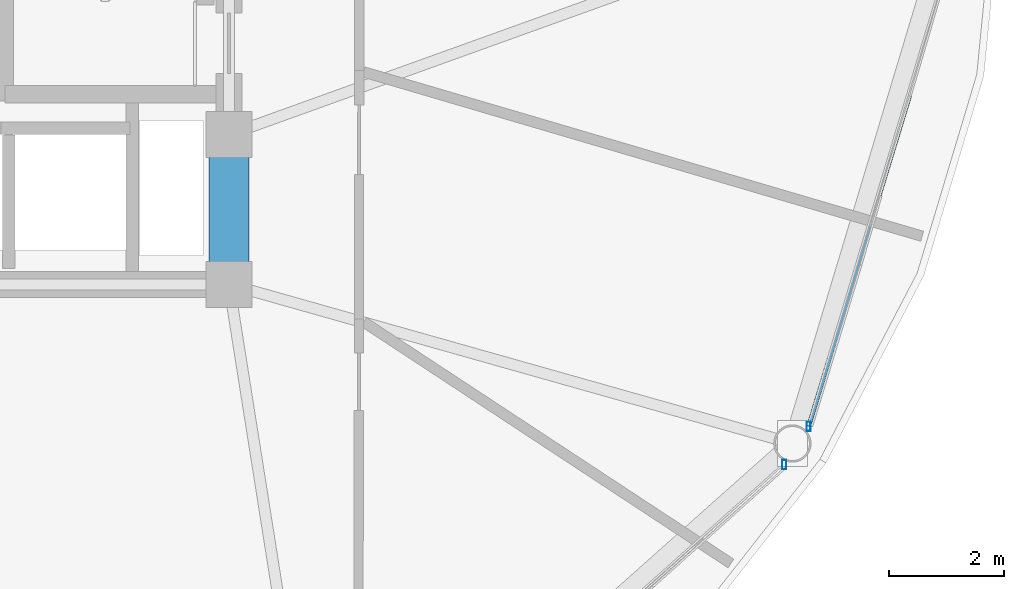
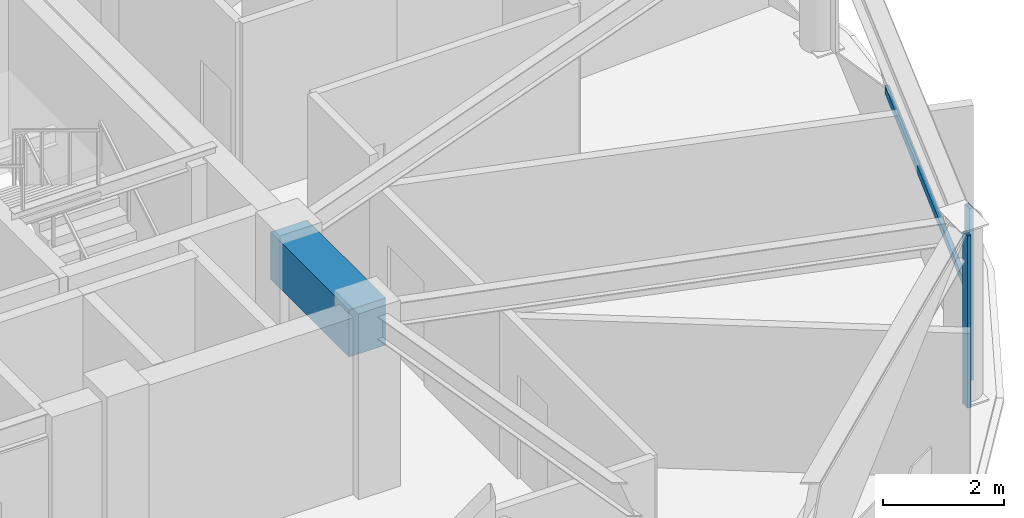
# One storey, part 12 of 30: 3 members, 1 beam, 2 elements without a shape of their own.
"""IFC4 building model written with IfcOpenShell, lengths in metres."""

import ifcopenshell
import ifcopenshell.guid

model = None  # the IFC model being written
_history = None  # IfcOwnerHistory: only IFC2X3 demands one
_inside = {}  # id of a spatial element -> (the spatial element, [elements in it])
_under = {}  # id of a project, library or spatial element -> (it, [spatial elements below it])
_declared = {}  # id of a project -> (the project, [libraries it declares])
_typed = {}  # id of a type object -> (the type object, [elements of that type])
_made_of = {}  # id of a material, layer set ... -> (it, [elements and type objects made of it])


def new_model(schema):
    """Start an empty IFC model of exactly this schema.

    Asked for "IFC4X3", IfcOpenShell would pick the latest addendum, in which some entities
    have other attributes; the version numbers below select the first issue.
    IFC2X3 requires an IfcOwnerHistory on every rooted entity: one is made here for all.
    """
    global model, _history
    if schema == "IFC4X3":
        model = ifcopenshell.file(schema_version=(4, 3, 0, 0))
    else:
        model = ifcopenshell.file(schema=schema)
    _inside.clear()
    _under.clear()
    _declared.clear()
    _typed.clear()
    _made_of.clear()
    _history = None
    if model.schema == "IFC2X3":
        org = make("IfcOrganization", Name="unknown")
        user = make(
            "IfcPersonAndOrganization",
            ThePerson=make("IfcPerson", FamilyName="unknown"),
            TheOrganization=org,
        )
        app = make(
            "IfcApplication",
            ApplicationDeveloper=org,
            Version="unknown",
            ApplicationFullName="unknown",
            ApplicationIdentifier="unknown",
        )
        _history = make(
            "IfcOwnerHistory",
            OwningUser=user,
            OwningApplication=app,
            ChangeAction="ADDED",
            CreationDate=0,
        )
    return model


def make(cls, **values):
    """One entity of the class cls with the attributes given. An attribute that is None is left unset."""
    return model.create_entity(
        cls, **{name: value for name, value in values.items() if value is not None}
    )


def rooted(cls, **values):
    """An entity with a GlobalId (a new one), such as an element, a storey or a relation."""
    return make(cls, GlobalId=ifcopenshell.guid.new(), OwnerHistory=_history, **values)


def si_unit(unit_type, name, prefix=None):
    """IfcSIUnit, for example si_unit("LENGTHUNIT", "METRE", prefix="MILLI")."""
    return make("IfcSIUnit", UnitType=unit_type, Prefix=prefix, Name=name)


def assignment(units):
    """IfcUnitAssignment: the units of a project."""
    return None if units is None else make("IfcUnitAssignment", Units=units)


def point(xyz):
    """IfcCartesianPoint."""
    return None if xyz is None else make("IfcCartesianPoint", Coordinates=xyz)


def direction(xyz):
    """IfcDirection."""
    return None if xyz is None else make("IfcDirection", DirectionRatios=xyz)


def frame(location, z_axis=None, x_axis=None):
    """IfcAxis2Placement3D, a coordinate frame: its origin and axes. An axis left out is left unset."""
    return make(
        "IfcAxis2Placement3D",
        Location=point(location),
        Axis=direction(z_axis),
        RefDirection=direction(x_axis),
    )


def frame_2d(location, x_axis=None):
    """IfcAxis2Placement2D, a coordinate frame in the plane: its origin and x axis."""
    return make(
        "IfcAxis2Placement2D", Location=point(location), RefDirection=direction(x_axis)
    )


def origin():
    """The frame at (0, 0, 0) with its axes left unset."""
    return frame((0.0, 0.0, 0.0))


def origin_2d():
    """The frame at (0, 0) in the plane with its x axis left unset."""
    return frame_2d((0.0, 0.0))


def place(relative_to, where):
    """IfcLocalPlacement: puts the frame where relative to a parent placement (None: the world)."""
    return make(
        "IfcLocalPlacement", PlacementRelTo=relative_to, RelativePlacement=where
    )


def context(
    kind, dimensions, precision=None, world=None, true_north=None, identifier=None
):
    """IfcGeometricRepresentationContext, for example the 3D "Model" context."""
    return make(
        "IfcGeometricRepresentationContext",
        ContextIdentifier=identifier,
        ContextType=kind,
        CoordinateSpaceDimension=dimensions,
        Precision=precision,
        WorldCoordinateSystem=world,
        TrueNorth=true_north,
    )


def subcontext(parent, identifier, kind, view, scale=None):
    """IfcGeometricRepresentationSubContext, for example "Body" below "Model"."""
    return make(
        "IfcGeometricRepresentationSubContext",
        ContextIdentifier=identifier,
        ContextType=kind,
        ParentContext=parent,
        TargetScale=scale,
        TargetView=view,
    )


def project(units=None, contexts=None):
    """IfcProject with its units and contexts."""
    return rooted(
        "IfcProject",
        Name="project",
        RepresentationContexts=contexts,
        UnitsInContext=assignment(units),
    )


def spatial(cls, under=None, at=None, **own):
    """A site, building, storey or space (cls), placed at a placement, below another one or the project."""
    s = rooted(cls, ObjectPlacement=at, **own)
    if under is not None:
        _under.setdefault(under.id(), (under, []))[1].append(s)
    return s


def profile(cls, at=None, kind="AREA", **sizes):
    """A parametric profile (cls). Its sizes go by their IFC names, for example OverallWidth=200.0."""
    return make(cls, ProfileType=kind, Position=at, **sizes)


def rectangle(**sizes):
    """IfcRectangleProfileDef."""
    return profile("IfcRectangleProfileDef", **sizes)


def hollow_rectangle(**sizes):
    """IfcRectangleHollowProfileDef."""
    return profile("IfcRectangleHollowProfileDef", **sizes)


def extrude(swept, where, along, depth):
    """IfcExtrudedAreaSolid: the profile swept, set in the frame where, extruded along a direction by depth."""
    return make(
        "IfcExtrudedAreaSolid",
        SweptArea=swept,
        Position=where,
        ExtrudedDirection=direction(along),
        Depth=depth,
    )


def shape(context_of_items, identifier, shape_type, items):
    """IfcShapeRepresentation: the items that make up one representation, for example the "Body"."""
    return make(
        "IfcShapeRepresentation",
        ContextOfItems=context_of_items,
        RepresentationIdentifier=identifier,
        RepresentationType=shape_type,
        Items=items,
    )


def material(Name=None, Category=None):
    """IfcMaterial."""
    return make("IfcMaterial", Name=Name, Category=Category)


def layer(
    of_material, thickness, ventilated=None, Name=None, Category=None, Priority=None
):
    """IfcMaterialLayer: one layer of a wall or slab, of a material (None: an air gap)."""
    return make(
        "IfcMaterialLayer",
        Material=of_material,
        LayerThickness=thickness,
        IsVentilated=ventilated,
        Name=Name,
        Category=Category,
        Priority=Priority,
    )


def layer_set(layers, Name=None):
    """IfcMaterialLayerSet."""
    return make("IfcMaterialLayerSet", MaterialLayers=layers, LayerSetName=Name)


def material_profile(
    of_material, cross_section, Name=None, Category=None, Priority=None
):
    """IfcMaterialProfile: a cross section and its material."""
    return make(
        "IfcMaterialProfile",
        Name=Name,
        Material=of_material,
        Profile=cross_section,
        Priority=Priority,
        Category=Category,
    )


def profile_set(profiles, Name=None, composite=None):
    """IfcMaterialProfileSet."""
    return make(
        "IfcMaterialProfileSet",
        Name=Name,
        MaterialProfiles=profiles,
        CompositeProfile=composite,
    )


def made_of(thing, what):
    """Note that an element or type object is made of a material, layer set ...; save() writes the relation."""
    if what is not None:
        _made_of.setdefault(what.id(), (what, []))[1].append(thing)
    return thing


def type_object(cls, material=None, **own):
    """A type object (cls), such as IfcWallType, which elements share."""
    return made_of(rooted(cls, **own), material)


def element(
    cls,
    number,
    at=None,
    inside=None,
    cuts=None,
    type_object=None,
    material=None,
    context=None,
    identifier="Body",
    shape_type=None,
    held_by="IfcProductDefinitionShape",
    body=None,
    shapes=None,
    **own,
):
    """One element of the class cls, such as IfcWall. Its Tag is "e" and its number.

    at: its placement. inside: the storey or other place that contains it. cuts: it is an
    opening in that element (IfcRelVoidsElement). A single representation is given by context,
    identifier, shape_type and body (its items); several are given by shapes. held_by: the class
    of the entity that holds the representations. save() writes the other relations.
    """
    e = rooted(cls, Tag="e%d" % number, ObjectPlacement=at, **own)
    if body is not None:
        shapes = [shape(context, identifier, shape_type, body)]
    if shapes is not None:
        e.Representation = make(held_by, Representations=shapes)
    if inside is not None:
        _inside.setdefault(inside.id(), (inside, []))[1].append(e)
    if cuts is not None:
        rooted(
            "IfcRelVoidsElement", RelatingBuildingElement=cuts, RelatedOpeningElement=e
        )
    if type_object is not None:
        _typed.setdefault(type_object.id(), (type_object, []))[1].append(e)
    return made_of(e, material)


def aggregate(whole, parts):
    """IfcRelAggregates: a whole, such as a stair, and the parts it consists of."""
    return rooted("IfcRelAggregates", RelatingObject=whole, RelatedObjects=parts)


def save(model, path):
    """Write the relations noted so far, then the file.

    IfcRelAggregates (storeys below a building ...), IfcRelContainedInSpatialStructure (elements
    in a storey), IfcRelDefinesByType, IfcRelAssociatesMaterial and IfcRelDeclares: one each for
    every whole, place, type object, material and project.
    """
    for whole, parts in _under.values():
        aggregate(whole, parts)
    for where, things in _inside.values():
        rooted(
            "IfcRelContainedInSpatialStructure",
            RelatedElements=things,
            RelatingStructure=where,
        )
    for kind, things in _typed.values():
        rooted("IfcRelDefinesByType", RelatedObjects=things, RelatingType=kind)
    for what, things in _made_of.values():
        rooted("IfcRelAssociatesMaterial", RelatedObjects=things, RelatingMaterial=what)
    for by, libraries in _declared.values():
        rooted("IfcRelDeclares", RelatingContext=by, RelatedDefinitions=libraries)
    model.write(path)


model = new_model("IFC4")

# Units and contexts
model_context = context("Model", 3, precision=1e-05, world=origin(), true_north=direction((0.0, 1.0)))
body_context = subcontext(model_context, "Body", "Model", "MODEL_VIEW")
ifc_project = project(units=[si_unit("LENGTHUNIT", "METRE"), si_unit("AREAUNIT", "SQUARE_METRE"), si_unit("VOLUMEUNIT", "CUBIC_METRE"), si_unit("PLANEANGLEUNIT", "RADIAN"), si_unit("MASSUNIT", "GRAM", prefix="KILO")], contexts=[model_context])

# Site, building, storey
site_placement = place(None, origin())
site = spatial("IfcSite", under=ifc_project, at=site_placement, CompositionType="ELEMENT")
building_placement = place(site_placement, origin())
building = spatial("IfcBuilding", under=site, at=building_placement, Name="Vantalir Tower", CompositionType="ELEMENT")
storey_placement = place(building_placement, frame((0.0, 0.0, 201.14990234375)))
storey = spatial("IfcBuildingStorey", under=building, at=storey_placement, Name="L50", CompositionType="ELEMENT", Elevation=201.14990234375)

# Beam
ifc_material_1 = material(Name="Concrete C60/75", Category="concrete")
ifc_material_profile_1 = material_profile(ifc_material_1, rectangle(XDim=0.699951171875, YDim=0.949951171875, at=origin_2d()), Name="Concrete C60/75")
ifc_profile_set_1 = profile_set([ifc_material_profile_1], Name="Concrete C60/75")
beam_type = type_object("IfcBeamType", Name="BM-CB-700x950", PredefinedType="USERDEFINED", material=ifc_profile_set_1)
beam_placement = place(storey_placement, frame((41.10009765625, 17.800048828125, 3.09521484375), z_axis=(0.0, 1.0, 0.0), x_axis=(-1.0, 0.0, 0.0)))
element("IfcBeam", 1, at=beam_placement, inside=storey, type_object=beam_type, Name="L50 Core Coupling Girder 05", ObjectType="GIRDER", PredefinedType="USERDEFINED", context=body_context, shape_type="SweptSolid", body=[
    extrude(rectangle(XDim=0.699951171875, YDim=0.949951171875, at=origin_2d()), origin(), (0.0, 0.0, 1.0), 2.599853515625),
])

# Curtain wall, member
ifc_material_2 = material(Name="Champagne-silver PVDF aluminium and double-silver Low-E glass", Category="aluminium")
ifc_layer = layer(ifc_material_2, 0.2099609375)
ifc_layer_set = layer_set([ifc_layer], Name="Champagne-silver PVDF aluminium and double-silver Low-E glass")
curtain_wall_type = type_object("IfcCurtainWallType", Name="CW-DIAMOND-Z3", PredefinedType="USERDEFINED", material=ifc_layer_set)
curtain_wall_1_placement = place(storey_placement, origin())
curtain_wall_1 = element("IfcCurtainWall", 2, at=curtain_wall_1_placement, inside=storey, type_object=curtain_wall_type, Name="L50 Quilted Pyramid-Diamond Curtain Wall S11", ObjectType="UNITISED CURTAIN WALL", PredefinedType="USERDEFINED")
ifc_material_3 = material(Name="Champagne-silver PVDF aluminium 6063-T6", Category="aluminium")
ifc_material_profile_2 = material_profile(ifc_material_3, hollow_rectangle(XDim=0.070068359375, YDim=0.1650390625, WallThickness=0.00390625, at=origin_2d()), Name="Champagne-silver PVDF aluminium 6063-T6")
ifc_profile_set_2 = profile_set([ifc_material_profile_2], Name="Champagne-silver PVDF aluminium 6063-T6")
member_type_1 = type_object("IfcMemberType", Name="CWM-165x70", PredefinedType="MULLION", material=ifc_profile_set_2)
member_1_placement = place(storey_placement, frame((50.741943359375, 14.6689453125, 0.045166015625), z_axis=(0.0, 0.0, 1.0), x_axis=(1.0, 0.0, 0.0)))
member_1 = element("IfcMember", 3, at=member_1_placement, type_object=member_type_1, Name="CW-L50-S11 Mullion 2", PredefinedType="MULLION", context=body_context, shape_type="SweptSolid", body=[
    extrude(hollow_rectangle(XDim=0.070068359375, YDim=0.1650390625, WallThickness=0.00390625, at=origin_2d()), origin(), (0.0, 0.0, 1.0), 3.47998046875),
])
aggregate(curtain_wall_1, [member_1])

# Curtain wall, members
curtain_wall_2_placement = place(storey_placement, origin())
curtain_wall_2 = element("IfcCurtainWall", 4, at=curtain_wall_2_placement, inside=storey, type_object=curtain_wall_type, Name="L50 Quilted Pyramid-Diamond Curtain Wall S12", ObjectType="UNITISED CURTAIN WALL", PredefinedType="USERDEFINED")
member_2_placement = place(storey_placement, frame((51.166015625, 15.3349609375, 0.045166015625), z_axis=(0.0, 0.0, 1.0), x_axis=(1.0, 0.0, 0.0)))
member_2 = element("IfcMember", 5, at=member_2_placement, type_object=member_type_1, Name="CW-L50-S12 Mullion 1", PredefinedType="MULLION", context=body_context, shape_type="SweptSolid", body=[
    extrude(hollow_rectangle(XDim=0.070068359375, YDim=0.1650390625, WallThickness=0.00390625, at=origin_2d()), origin(), (0.0, 0.0, 1.0), 3.47998046875),
])
ifc_material_profile_3 = material_profile(ifc_material_3, hollow_rectangle(XDim=0.074951171875, YDim=0.159912109375, WallThickness=0.00390625, at=origin_2d()), Name="Champagne-silver PVDF aluminium 6063-T6")
ifc_profile_set_3 = profile_set([ifc_material_profile_3], Name="Champagne-silver PVDF aluminium 6063-T6")
member_type_2 = type_object("IfcMemberType", Name="CWT-160x75", PredefinedType="USERDEFINED", material=ifc_profile_set_3)
member_3_placement = place(storey_placement, frame((51.166015625, 15.3349609375, 1.78515625), z_axis=(0.291730997436, 0.956500405193, 0.0), x_axis=(-0.956500405193, 0.291730997436, 0.0)))
member_3 = element("IfcMember", 6, at=member_3_placement, type_object=member_type_2, Name="CW-L50-S12 Pyramid Fold Ridge Transom", ObjectType="TRANSOM", PredefinedType="USERDEFINED", context=body_context, shape_type="SweptSolid", body=[
    extrude(hollow_rectangle(XDim=0.074951171875, YDim=0.159912109375, WallThickness=0.00390625, at=origin_2d()), origin(), (0.0, 0.0, 1.0), 6.00537109375),
])
aggregate(curtain_wall_2, [member_2, member_3])

save(model, "model.ifc")
